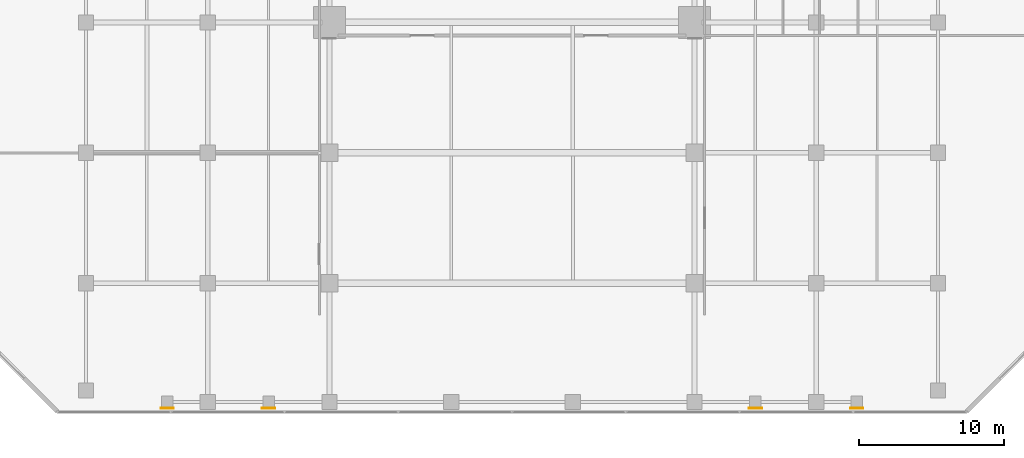
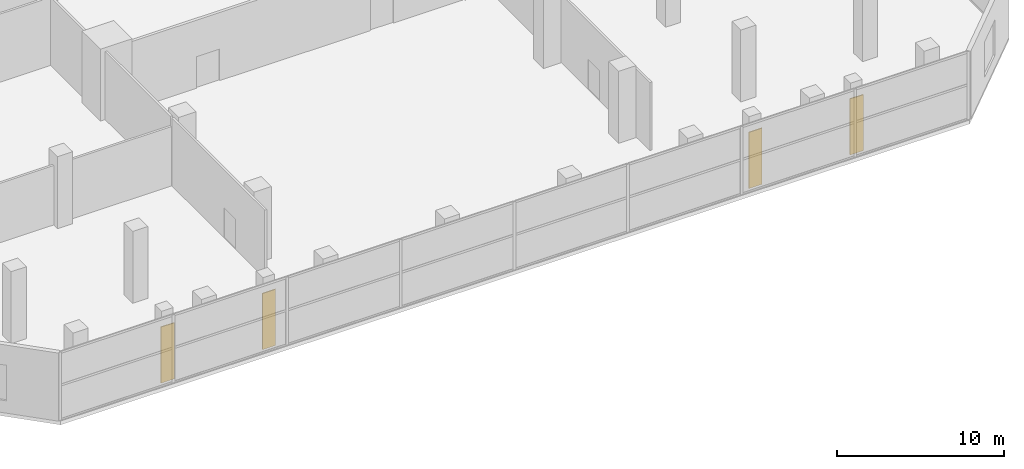
# One storey, part 38 of 40: 4 coverings.
"""IFC4 building model written with IfcOpenShell, lengths in metres."""

import ifcopenshell
import ifcopenshell.guid

model = None  # the IFC model being written
_history = None  # IfcOwnerHistory: only IFC2X3 demands one
_inside = {}  # id of a spatial element -> (the spatial element, [elements in it])
_under = {}  # id of a project, library or spatial element -> (it, [spatial elements below it])
_declared = {}  # id of a project -> (the project, [libraries it declares])
_typed = {}  # id of a type object -> (the type object, [elements of that type])
_made_of = {}  # id of a material, layer set ... -> (it, [elements and type objects made of it])


def new_model(schema):
    """Start an empty IFC model of exactly this schema.

    Asked for "IFC4X3", IfcOpenShell would pick the latest addendum, in which some entities
    have other attributes; the version numbers below select the first issue.
    IFC2X3 requires an IfcOwnerHistory on every rooted entity: one is made here for all.
    """
    global model, _history
    if schema == "IFC4X3":
        model = ifcopenshell.file(schema_version=(4, 3, 0, 0))
    else:
        model = ifcopenshell.file(schema=schema)
    _inside.clear()
    _under.clear()
    _declared.clear()
    _typed.clear()
    _made_of.clear()
    _history = None
    if model.schema == "IFC2X3":
        org = make("IfcOrganization", Name="unknown")
        user = make(
            "IfcPersonAndOrganization",
            ThePerson=make("IfcPerson", FamilyName="unknown"),
            TheOrganization=org,
        )
        app = make(
            "IfcApplication",
            ApplicationDeveloper=org,
            Version="unknown",
            ApplicationFullName="unknown",
            ApplicationIdentifier="unknown",
        )
        _history = make(
            "IfcOwnerHistory",
            OwningUser=user,
            OwningApplication=app,
            ChangeAction="ADDED",
            CreationDate=0,
        )
    return model


def make(cls, **values):
    """One entity of the class cls with the attributes given. An attribute that is None is left unset."""
    return model.create_entity(
        cls, **{name: value for name, value in values.items() if value is not None}
    )


def rooted(cls, **values):
    """An entity with a GlobalId (a new one), such as an element, a storey or a relation."""
    return make(cls, GlobalId=ifcopenshell.guid.new(), OwnerHistory=_history, **values)


def si_unit(unit_type, name, prefix=None):
    """IfcSIUnit, for example si_unit("LENGTHUNIT", "METRE", prefix="MILLI")."""
    return make("IfcSIUnit", UnitType=unit_type, Prefix=prefix, Name=name)


def assignment(units):
    """IfcUnitAssignment: the units of a project."""
    return None if units is None else make("IfcUnitAssignment", Units=units)


def point(xyz):
    """IfcCartesianPoint."""
    return None if xyz is None else make("IfcCartesianPoint", Coordinates=xyz)


def direction(xyz):
    """IfcDirection."""
    return None if xyz is None else make("IfcDirection", DirectionRatios=xyz)


def frame(location, z_axis=None, x_axis=None):
    """IfcAxis2Placement3D, a coordinate frame: its origin and axes. An axis left out is left unset."""
    return make(
        "IfcAxis2Placement3D",
        Location=point(location),
        Axis=direction(z_axis),
        RefDirection=direction(x_axis),
    )


def frame_2d(location, x_axis=None):
    """IfcAxis2Placement2D, a coordinate frame in the plane: its origin and x axis."""
    return make(
        "IfcAxis2Placement2D", Location=point(location), RefDirection=direction(x_axis)
    )


def origin():
    """The frame at (0, 0, 0) with its axes left unset."""
    return frame((0.0, 0.0, 0.0))


def origin_2d():
    """The frame at (0, 0) in the plane with its x axis left unset."""
    return frame_2d((0.0, 0.0))


def place(relative_to, where):
    """IfcLocalPlacement: puts the frame where relative to a parent placement (None: the world)."""
    return make(
        "IfcLocalPlacement", PlacementRelTo=relative_to, RelativePlacement=where
    )


def context(
    kind, dimensions, precision=None, world=None, true_north=None, identifier=None
):
    """IfcGeometricRepresentationContext, for example the 3D "Model" context."""
    return make(
        "IfcGeometricRepresentationContext",
        ContextIdentifier=identifier,
        ContextType=kind,
        CoordinateSpaceDimension=dimensions,
        Precision=precision,
        WorldCoordinateSystem=world,
        TrueNorth=true_north,
    )


def subcontext(parent, identifier, kind, view, scale=None):
    """IfcGeometricRepresentationSubContext, for example "Body" below "Model"."""
    return make(
        "IfcGeometricRepresentationSubContext",
        ContextIdentifier=identifier,
        ContextType=kind,
        ParentContext=parent,
        TargetScale=scale,
        TargetView=view,
    )


def project(units=None, contexts=None):
    """IfcProject with its units and contexts."""
    return rooted(
        "IfcProject",
        Name="project",
        RepresentationContexts=contexts,
        UnitsInContext=assignment(units),
    )


def spatial(cls, under=None, at=None, **own):
    """A site, building, storey or space (cls), placed at a placement, below another one or the project."""
    s = rooted(cls, ObjectPlacement=at, **own)
    if under is not None:
        _under.setdefault(under.id(), (under, []))[1].append(s)
    return s


def profile(cls, at=None, kind="AREA", **sizes):
    """A parametric profile (cls). Its sizes go by their IFC names, for example OverallWidth=200.0."""
    return make(cls, ProfileType=kind, Position=at, **sizes)


def rectangle(**sizes):
    """IfcRectangleProfileDef."""
    return profile("IfcRectangleProfileDef", **sizes)


def extrude(swept, where, along, depth):
    """IfcExtrudedAreaSolid: the profile swept, set in the frame where, extruded along a direction by depth."""
    return make(
        "IfcExtrudedAreaSolid",
        SweptArea=swept,
        Position=where,
        ExtrudedDirection=direction(along),
        Depth=depth,
    )


def shape(context_of_items, identifier, shape_type, items):
    """IfcShapeRepresentation: the items that make up one representation, for example the "Body"."""
    return make(
        "IfcShapeRepresentation",
        ContextOfItems=context_of_items,
        RepresentationIdentifier=identifier,
        RepresentationType=shape_type,
        Items=items,
    )


def material(Name=None, Category=None):
    """IfcMaterial."""
    return make("IfcMaterial", Name=Name, Category=Category)


def layer(
    of_material, thickness, ventilated=None, Name=None, Category=None, Priority=None
):
    """IfcMaterialLayer: one layer of a wall or slab, of a material (None: an air gap)."""
    return make(
        "IfcMaterialLayer",
        Material=of_material,
        LayerThickness=thickness,
        IsVentilated=ventilated,
        Name=Name,
        Category=Category,
        Priority=Priority,
    )


def layer_set(layers, Name=None):
    """IfcMaterialLayerSet."""
    return make("IfcMaterialLayerSet", MaterialLayers=layers, LayerSetName=Name)


def made_of(thing, what):
    """Note that an element or type object is made of a material, layer set ...; save() writes the relation."""
    if what is not None:
        _made_of.setdefault(what.id(), (what, []))[1].append(thing)
    return thing


def type_object(cls, material=None, **own):
    """A type object (cls), such as IfcWallType, which elements share."""
    return made_of(rooted(cls, **own), material)


def element(
    cls,
    number,
    at=None,
    inside=None,
    cuts=None,
    type_object=None,
    material=None,
    context=None,
    identifier="Body",
    shape_type=None,
    held_by="IfcProductDefinitionShape",
    body=None,
    shapes=None,
    **own,
):
    """One element of the class cls, such as IfcWall. Its Tag is "e" and its number.

    at: its placement. inside: the storey or other place that contains it. cuts: it is an
    opening in that element (IfcRelVoidsElement). A single representation is given by context,
    identifier, shape_type and body (its items); several are given by shapes. held_by: the class
    of the entity that holds the representations. save() writes the other relations.
    """
    e = rooted(cls, Tag="e%d" % number, ObjectPlacement=at, **own)
    if body is not None:
        shapes = [shape(context, identifier, shape_type, body)]
    if shapes is not None:
        e.Representation = make(held_by, Representations=shapes)
    if inside is not None:
        _inside.setdefault(inside.id(), (inside, []))[1].append(e)
    if cuts is not None:
        rooted(
            "IfcRelVoidsElement", RelatingBuildingElement=cuts, RelatedOpeningElement=e
        )
    if type_object is not None:
        _typed.setdefault(type_object.id(), (type_object, []))[1].append(e)
    return made_of(e, material)


def aggregate(whole, parts):
    """IfcRelAggregates: a whole, such as a stair, and the parts it consists of."""
    return rooted("IfcRelAggregates", RelatingObject=whole, RelatedObjects=parts)


def save(model, path):
    """Write the relations noted so far, then the file.

    IfcRelAggregates (storeys below a building ...), IfcRelContainedInSpatialStructure (elements
    in a storey), IfcRelDefinesByType, IfcRelAssociatesMaterial and IfcRelDeclares: one each for
    every whole, place, type object, material and project.
    """
    for whole, parts in _under.values():
        aggregate(whole, parts)
    for where, things in _inside.values():
        rooted(
            "IfcRelContainedInSpatialStructure",
            RelatedElements=things,
            RelatingStructure=where,
        )
    for kind, things in _typed.values():
        rooted("IfcRelDefinesByType", RelatedObjects=things, RelatingType=kind)
    for what, things in _made_of.values():
        rooted("IfcRelAssociatesMaterial", RelatedObjects=things, RelatingMaterial=what)
    for by, libraries in _declared.values():
        rooted("IfcRelDeclares", RelatingContext=by, RelatedDefinitions=libraries)
    model.write(path)


model = new_model("IFC4")

# Units and contexts
model_context = context("Model", 3, precision=1e-05, world=origin(), true_north=direction((0.0, 1.0)))
body_context = subcontext(model_context, "Body", "Model", "MODEL_VIEW")
ifc_project = project(units=[si_unit("LENGTHUNIT", "METRE"), si_unit("AREAUNIT", "SQUARE_METRE"), si_unit("VOLUMEUNIT", "CUBIC_METRE"), si_unit("PLANEANGLEUNIT", "RADIAN"), si_unit("MASSUNIT", "GRAM", prefix="KILO")], contexts=[model_context])

# Site, building, storey
site_placement = place(None, origin())
site = spatial("IfcSite", under=ifc_project, at=site_placement, CompositionType="ELEMENT")
building_placement = place(site_placement, origin())
building = spatial("IfcBuilding", under=site, at=building_placement, Name="Maruvema Waterfront Hotel and Observation Tower", CompositionType="ELEMENT")
storey_placement = place(building_placement, frame((0.0, 0.0, 5.60009765625)))
storey = spatial("IfcBuildingStorey", under=building, at=storey_placement, Name="L01", CompositionType="ELEMENT", Elevation=5.60009765625)

# Coverings
ifc_material = material(Name="Honed Pernambuco warm cream granite", Category="masonry")
ifc_layer = layer(ifc_material, 0.044921875, Name="Podium Column Honed Granite Cladding Panel 45 mm")
ifc_layer_set = layer_set([ifc_layer], Name="Honed Pernambuco warm cream granite")
covering_type = type_object("IfcCoveringType", Name="Podium Column Honed Granite Cladding Panel 45 mm", PredefinedType="CLADDING", material=ifc_layer_set)
for number, where, z_axis, x_axis, name in (
    (1, (14.0, 0.3798828125, 0.0498046875), (0.0, 0.0, 1.0), (1.0, 0.0, 0.0), "L01 Waterfront Pilaster Granite Cladding S1"),
    (2, (21.0, 0.3798828125, 0.0498046875), (0.0, 0.0, 1.0), (1.0, 0.0, 0.0), "L01 Waterfront Pilaster Granite Cladding S2"),
    (3, (54.60009765625, 0.3798828125, 0.0498046875), (0.0, 0.0, 1.0), (1.0, 0.0, 0.0), "L01 Waterfront Pilaster Granite Cladding S3"),
    (4, (61.60009765625, 0.3798828125, 0.0498046875), (0.0, 0.0, 1.0), (1.0, 0.0, 0.0), "L01 Waterfront Pilaster Granite Cladding S4"),
):
    element("IfcCovering", number, at=place(storey_placement, frame(where, z_axis=z_axis, x_axis=x_axis)), inside=storey, type_object=covering_type, Name=name, PredefinedType="CLADDING", context=body_context, shape_type="SweptSolid", body=[
        extrude(rectangle(XDim=0.919921875, YDim=0.06005859375, at=origin_2d()), origin(), (0.0, 0.0, 1.0), 4.10009765625),
    ])

save(model, "model.ifc")
